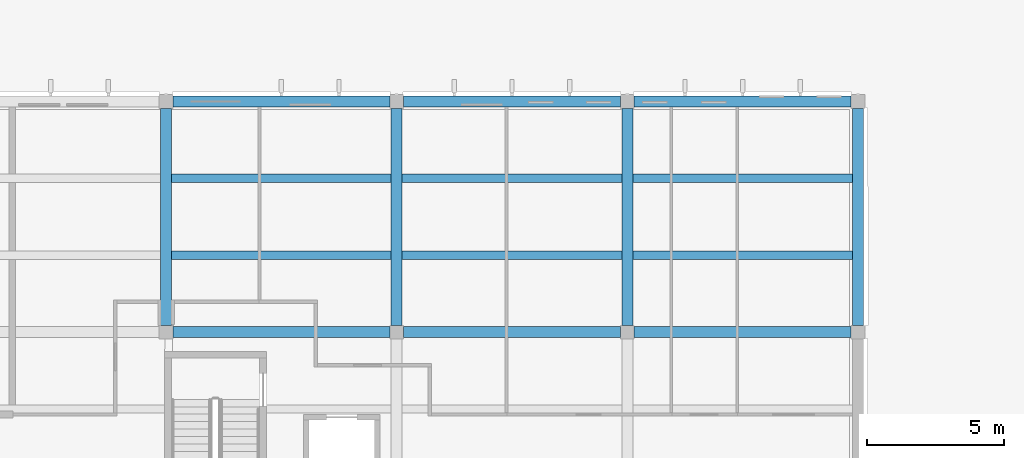
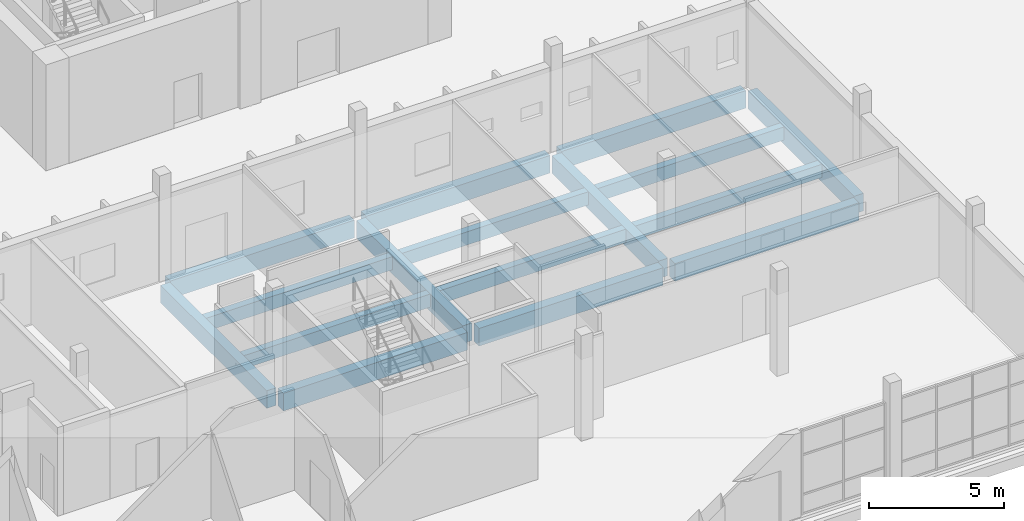
# One storey, part 11 of 110: 16 beams.
"""IFC4 building model written with IfcOpenShell, lengths in metres."""

from ifc_helpers import new_model, si_unit, direction, frame, origin, origin_2d, place, context, subcontext, project, spatial, rectangle, extrude, material, material_profile, profile_set, type_object, element, save


model = new_model("IFC4")

# Units and contexts
model_context = context("Model", 3, precision=1e-05, world=origin(), true_north=direction((0.0, 1.0)))
body_context = subcontext(model_context, "Body", "Model", "MODEL_VIEW")
ifc_project = project(units=[si_unit("LENGTHUNIT", "METRE"), si_unit("AREAUNIT", "SQUARE_METRE"), si_unit("VOLUMEUNIT", "CUBIC_METRE"), si_unit("PLANEANGLEUNIT", "RADIAN"), si_unit("MASSUNIT", "GRAM", prefix="KILO")], contexts=[model_context])

# Site, building, storey
site_placement = place(None, origin())
site = spatial("IfcSite", under=ifc_project, at=site_placement, CompositionType="ELEMENT")
building_placement = place(site_placement, origin())
building = spatial("IfcBuilding", under=site, at=building_placement, Name="Larchfold Concert Hall", CompositionType="ELEMENT")
storey_placement = place(building_placement, origin())
storey = spatial("IfcBuildingStorey", under=building, at=storey_placement, Name="L00", CompositionType="ELEMENT", Elevation=0.0)

# Beams
ifc_material_1 = material(Name="Concrete C35/45", Category="concrete")
ifc_material_profile_1 = material_profile(ifc_material_1, rectangle(XDim=0.300048828125, YDim=0.60009765625, at=origin_2d()))
ifc_profile_set_1 = profile_set([ifc_material_profile_1], Name="Concrete C35/45")
beam_type_1 = type_object("IfcBeamType", Name="Beam RC 300x600", PredefinedType="BEAM", material=ifc_profile_set_1)
for number, where, z_axis, x_axis, name in (
    (1, (34.39990234375, 20.199951171875, -0.4599609375), (1.0, 0.0, 0.0), (0.0, 1.0, 0.0), "Beam B0087"),
    (2, (42.800048828125, 20.199951171875, -0.4599609375), (1.0, 0.0, 0.0), (0.0, 1.0, 0.0), "Beam B0088"),
    (3, (51.199951171875, 20.199951171875, -0.4599609375), (1.0, 0.0, 0.0), (0.0, 1.0, 0.0), "Beam B0089"),
    (4, (34.39990234375, 23.0, -0.4599609375), (1.0, 0.0, 0.0), (0.0, 1.0, 0.0), "Beam B0094"),
    (5, (42.800048828125, 23.0, -0.4599609375), (1.0, 0.0, 0.0), (0.0, 1.0, 0.0), "Beam B0095"),
    (6, (51.199951171875, 23.0, -0.4599609375), (1.0, 0.0, 0.0), (0.0, 1.0, 0.0), "Beam B0096"),
):
    element("IfcBeam", number, at=place(storey_placement, frame(where, z_axis=z_axis, x_axis=x_axis)), inside=storey, type_object=beam_type_1, Name=name, PredefinedType="BEAM", context=body_context, shape_type="SweptSolid", body=[
        extrude(rectangle(XDim=0.300048828125, YDim=0.60009765625, at=origin_2d()), origin(), (0.0, 0.0, 1.0), 8.0),
    ])
ifc_material_2 = material(Name="Concrete C35/45", Category="concrete")
ifc_material_profile_2 = material_profile(ifc_material_2, rectangle(XDim=0.39990234375, YDim=0.800048828125, at=origin_2d()))
ifc_profile_set_2 = profile_set([ifc_material_profile_2], Name="Concrete C35/45")
beam_type_2 = type_object("IfcBeamType", Name="Beam RC 400x800", PredefinedType="BEAM", material=ifc_profile_set_2)
for number, where, z_axis, x_axis, name in (
    (7, (34.199951171875, 17.64990234375, -0.56005859375), (0.0, 1.0, 0.0), (-1.0, 0.0, 0.0), "Beam B0014"),
    (8, (42.60009765625, 17.64990234375, -0.56005859375), (0.0, 1.0, 0.0), (-1.0, 0.0, 0.0), "Beam B0017"),
    (9, (51.0, 17.64990234375, -0.56005859375), (0.0, 1.0, 0.0), (-1.0, 0.0, 0.0), "Beam B0020"),
    (10, (59.39990234375, 17.64990234375, -0.56005859375), (0.0, 1.0, 0.0), (-1.0, 0.0, 0.0), "Beam B0023"),
    (11, (34.449951171875, 17.39990234375, -0.56005859375), (1.0, 0.0, 0.0), (0.0, 1.0, 0.0), "Beam B0041"),
):
    element("IfcBeam", number, at=place(storey_placement, frame(where, z_axis=z_axis, x_axis=x_axis)), inside=storey, type_object=beam_type_2, Name=name, PredefinedType="BEAM", context=body_context, shape_type="SweptSolid", body=[
        extrude(rectangle(XDim=0.39990234375, YDim=0.800048828125, at=origin_2d()), origin(), (0.0, 0.0, 1.0), 7.900146484375),
    ])
for number, where, z_axis, x_axis, name in (
    (12, (42.85009765625, 17.39990234375, -0.56005859375), (1.0, 0.0, 0.0), (0.0, 1.0, 0.0), "Beam B0042"),
    (13, (51.25, 17.39990234375, -0.56005859375), (1.0, 0.0, 0.0), (0.0, 1.0, 0.0), "Beam B0043"),
):
    element("IfcBeam", number, at=place(storey_placement, frame(where, z_axis=z_axis, x_axis=x_axis)), inside=storey, type_object=beam_type_2, Name=name, PredefinedType="BEAM", context=body_context, shape_type="SweptSolid", body=[
        extrude(rectangle(XDim=0.39990234375, YDim=0.800048828125, at=origin_2d()), origin(), (0.0, 0.0, 1.0), 7.89990234375),
    ])
beam_placement = place(storey_placement, frame((34.449951171875, 25.800048828125, -0.56005859375), z_axis=(1.0, 0.0, 0.0), x_axis=(0.0, 1.0, 0.0)))
element("IfcBeam", 14, at=beam_placement, inside=storey, type_object=beam_type_2, Name="Beam B0048", PredefinedType="BEAM", context=body_context, shape_type="SweptSolid", body=[
    extrude(rectangle(XDim=0.39990234375, YDim=0.800048828125, at=origin_2d()), origin(), (0.0, 0.0, 1.0), 7.900146484375),
])
for number, where, z_axis, x_axis, name in (
    (15, (42.85009765625, 25.800048828125, -0.56005859375), (1.0, 0.0, 0.0), (0.0, 1.0, 0.0), "Beam B0049"),
    (16, (51.25, 25.800048828125, -0.56005859375), (1.0, 0.0, 0.0), (0.0, 1.0, 0.0), "Beam B0050"),
):
    element("IfcBeam", number, at=place(storey_placement, frame(where, z_axis=z_axis, x_axis=x_axis)), inside=storey, type_object=beam_type_2, Name=name, PredefinedType="BEAM", context=body_context, shape_type="SweptSolid", body=[
        extrude(rectangle(XDim=0.39990234375, YDim=0.800048828125, at=origin_2d()), origin(), (0.0, 0.0, 1.0), 7.89990234375),
    ])

save(model, "model.ifc")
